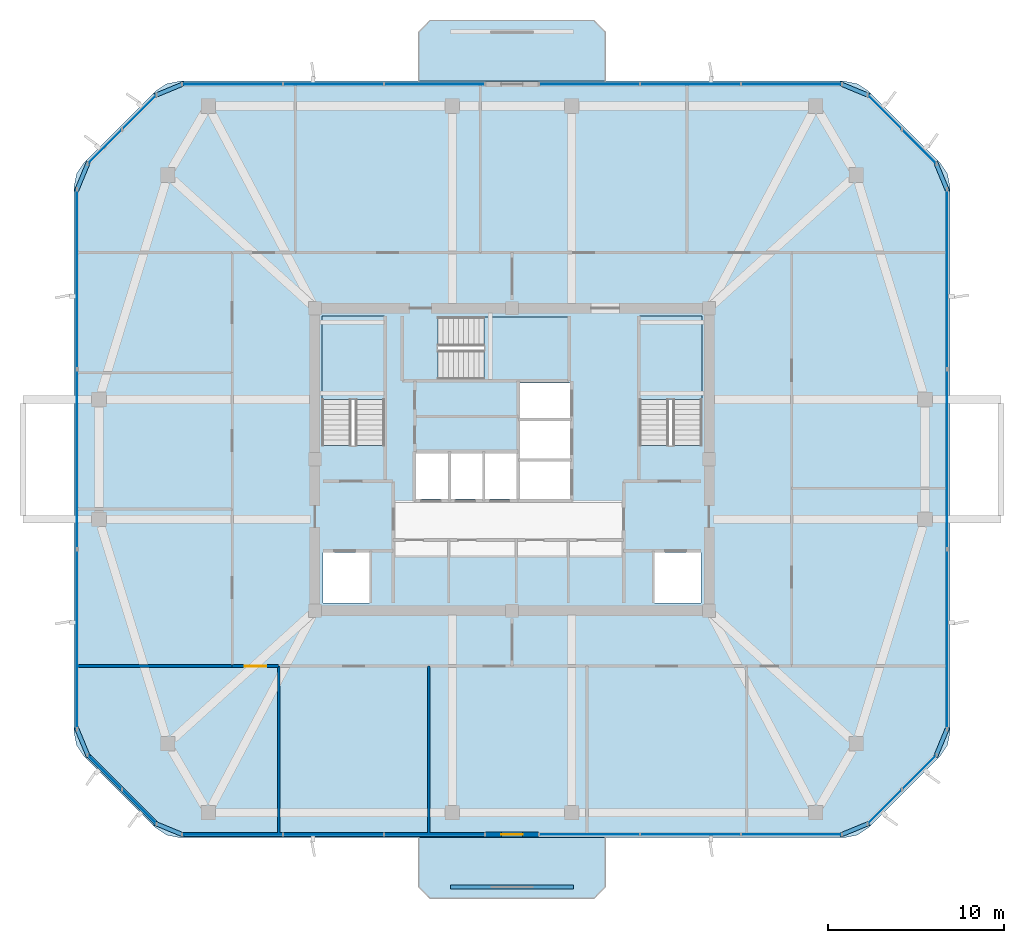
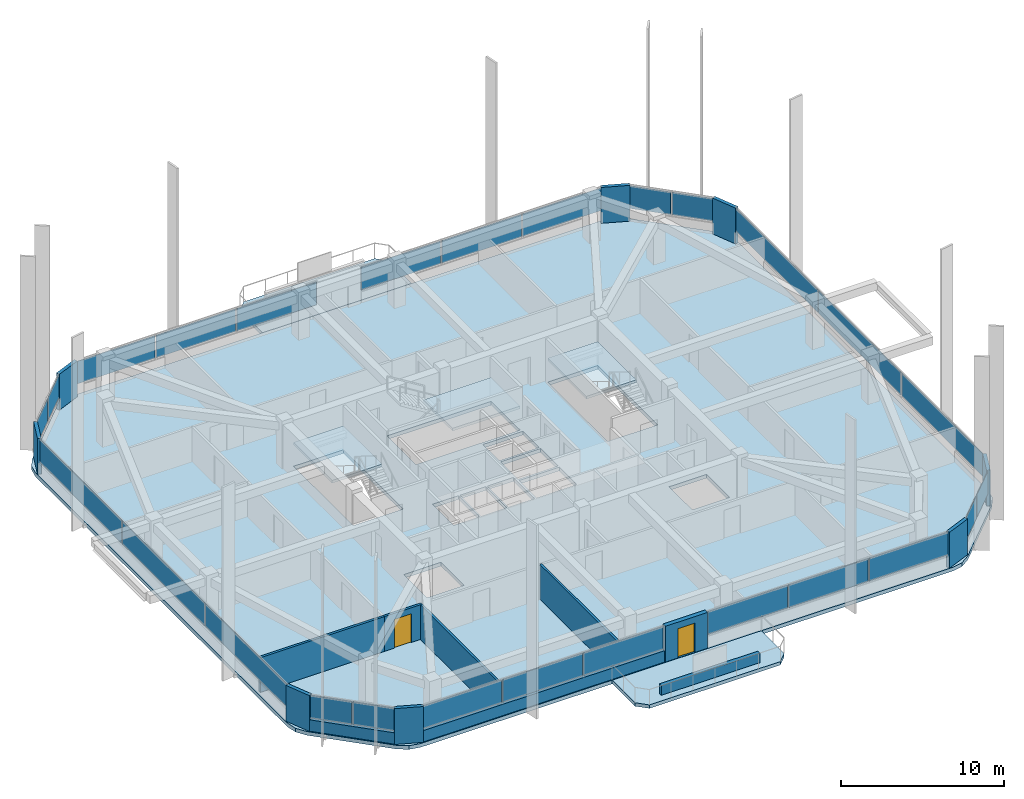
# One storey, part 6 of 12: 34 plates, 8 walls, 6 slabs, 2 doors, 2 openings, 13 elements without a shape of their own.
"""IFC4 building model written with IfcOpenShell, lengths in metres."""

from ifc_helpers import new_model, si_unit, derived_unit, direction, frame, frame_2d, origin, origin_2d, place, context, subcontext, project, spatial, polyline, rectangle, outline, extrude, material, layer, layer_set, type_object, element, fill, aggregate, save


model = new_model("IFC4")

# Units and contexts
model_context = context("Model", 3, precision=1e-05, world=origin(), true_north=direction((0.0, 1.0)))
body_context = subcontext(model_context, "Body", "Model", "MODEL_VIEW")
ifc_project = project(units=[si_unit("LENGTHUNIT", "METRE"), si_unit("AREAUNIT", "SQUARE_METRE"), si_unit("VOLUMEUNIT", "CUBIC_METRE"), si_unit("PLANEANGLEUNIT", "RADIAN"), si_unit("MASSUNIT", "GRAM", prefix="KILO"), derived_unit("THERMALTRANSMITTANCEUNIT", [(si_unit("POWERUNIT", "WATT"), 1), (si_unit("LENGTHUNIT", "METRE"), -2), (si_unit("THERMODYNAMICTEMPERATUREUNIT", "KELVIN"), -1)])], contexts=[model_context])

# Site, building, storey
site_placement = place(None, origin())
site = spatial("IfcSite", under=ifc_project, at=site_placement, CompositionType="ELEMENT")
building_placement = place(site_placement, origin())
building = spatial("IfcBuilding", under=site, at=building_placement, Name="Koralith Skygarden Medical Center", CompositionType="ELEMENT")
storey_placement = place(building_placement, frame((0.0, 0.0, 268.02001953125)))
storey = spatial("IfcBuildingStorey", under=building, at=storey_placement, Name="L69", CompositionType="ELEMENT", Elevation=268.02001953125)

# Curtain wall, plates
ifc_material_1 = material(Name="Clear Laminated Glass", Category="glass")
curtain_wall_type = type_object("IfcCurtainWallType", Name="CW-6 Zone 5 Upper Clinical Curtain Wall", PredefinedType="NOTDEFINED", material=ifc_material_1)
curtain_wall_1_placement = place(storey_placement, origin())
curtain_wall_1 = element("IfcCurtainWall", 1, at=curtain_wall_1_placement, inside=storey, type_object=curtain_wall_type, Name="Curtain Wall CW-L69-S-L", PredefinedType="NOTDEFINED")
ifc_layer_1 = layer(ifc_material_1, 0.0400390625)
ifc_layer_set_1 = layer_set([ifc_layer_1], Name="Clear Laminated Glass")
plate_type_1 = type_object("IfcPlateType", Name="CW-6 Hurricane Laminated IGU Panel 40", PredefinedType="CURTAIN_PANEL", material=ifc_layer_set_1)
plate_1_placement = place(storey_placement, frame((21.1220703125, 4.580078125, 0.919921875), z_axis=(0.0, 0.0, 1.0), x_axis=(1.0, 0.0, 0.0)))
plate_1 = element("IfcPlate", 2, at=plate_1_placement, type_object=plate_type_1, Name="CW-L69-S-L Glazed Panel 1", PredefinedType="CURTAIN_PANEL", context=body_context, shape_type="SweptSolid", body=[
    extrude(rectangle(XDim=5.64501953125, YDim=0.0400390625, at=origin_2d()), origin(), (0.0, 0.0, 1.0), 1.699951171875),
])
plate_2_placement = place(storey_placement, frame((26.85693359375, 4.580078125, 0.919921875), z_axis=(0.0, 0.0, 1.0), x_axis=(1.0, 0.0, 0.0)))
plate_2 = element("IfcPlate", 3, at=plate_2_placement, type_object=plate_type_1, Name="CW-L69-S-L Glazed Panel 2", PredefinedType="CURTAIN_PANEL", context=body_context, shape_type="SweptSolid", body=[
    extrude(rectangle(XDim=5.64501953125, YDim=0.0400390625, at=origin_2d()), origin(), (0.0, 0.0, 1.0), 1.699951171875),
])
plate_3_placement = place(storey_placement, frame((32.592041015625, 4.580078125, 0.919921875), z_axis=(0.0, 0.0, 1.0), x_axis=(1.0, 0.0, 0.0)))
plate_3 = element("IfcPlate", 4, at=plate_3_placement, type_object=plate_type_1, Name="CW-L69-S-L Glazed Panel 3", PredefinedType="CURTAIN_PANEL", context=body_context, shape_type="SweptSolid", body=[
    extrude(rectangle(XDim=5.64501953125, YDim=0.0400390625, at=origin_2d()), origin(), (0.0, 0.0, 1.0), 1.699951171875),
])
aggregate(curtain_wall_1, [plate_1, plate_2, plate_3])

curtain_wall_2_placement = place(storey_placement, origin())
curtain_wall_2 = element("IfcCurtainWall", 5, at=curtain_wall_2_placement, inside=storey, type_object=curtain_wall_type, Name="Curtain Wall CW-L69-S-R", PredefinedType="NOTDEFINED")
plate_4_placement = place(storey_placement, frame((41.406982421875, 4.580078125, 0.919921875), z_axis=(0.0, 0.0, 1.0), x_axis=(1.0, 0.0, 0.0)))
plate_4 = element("IfcPlate", 6, at=plate_4_placement, type_object=plate_type_1, Name="CW-L69-S-R Glazed Panel 1", PredefinedType="CURTAIN_PANEL", context=body_context, shape_type="SweptSolid", body=[
    extrude(rectangle(XDim=5.64501953125, YDim=0.0400390625, at=origin_2d()), origin(), (0.0, 0.0, 1.0), 1.699951171875),
])
plate_5_placement = place(storey_placement, frame((47.14208984375, 4.580078125, 0.919921875), z_axis=(0.0, 0.0, 1.0), x_axis=(1.0, 0.0, 0.0)))
plate_5 = element("IfcPlate", 7, at=plate_5_placement, type_object=plate_type_1, Name="CW-L69-S-R Glazed Panel 2", PredefinedType="CURTAIN_PANEL", context=body_context, shape_type="SweptSolid", body=[
    extrude(rectangle(XDim=5.64501953125, YDim=0.0400390625, at=origin_2d()), origin(), (0.0, 0.0, 1.0), 1.699951171875),
])
plate_6_placement = place(storey_placement, frame((52.876953125, 4.580078125, 0.919921875), z_axis=(0.0, 0.0, 1.0), x_axis=(1.0, 0.0, 0.0)))
plate_6 = element("IfcPlate", 8, at=plate_6_placement, type_object=plate_type_1, Name="CW-L69-S-R Glazed Panel 3", PredefinedType="CURTAIN_PANEL", context=body_context, shape_type="SweptSolid", body=[
    extrude(rectangle(XDim=5.64501953125, YDim=0.0400390625, at=origin_2d()), origin(), (0.0, 0.0, 1.0), 1.699951171875),
])
aggregate(curtain_wall_2, [plate_4, plate_5, plate_6])

curtain_wall_3_placement = place(storey_placement, origin())
curtain_wall_3 = element("IfcCurtainWall", 9, at=curtain_wall_3_placement, inside=storey, type_object=curtain_wall_type, Name="Curtain Wall CW-L69-SE", PredefinedType="NOTDEFINED")
plate_7_placement = place(storey_placement, frame((58.177001953125, 6.162109375, 0.919921875), z_axis=(0.0, 0.0, 1.0), x_axis=(0.707106781187, 0.707106781187, 0.0)))
plate_7 = element("IfcPlate", 10, at=plate_7_placement, type_object=plate_type_1, Name="CW-L69-SE Glazed Panel 1", PredefinedType="CURTAIN_PANEL", context=body_context, shape_type="SweptSolid", body=[
    extrude(rectangle(XDim=2.68408203125, YDim=0.0400390625, at=origin_2d()), origin(), (0.0, 0.0, 1.0), 1.699951171875),
])
plate_8_placement = place(storey_placement, frame((60.137939453125, 8.123046875, 0.919921875), z_axis=(0.0, 0.0, 1.0), x_axis=(0.707106781187, 0.707106781187, 0.0)))
plate_8 = element("IfcPlate", 11, at=plate_8_placement, type_object=plate_type_1, Name="CW-L69-SE Glazed Panel 2", PredefinedType="CURTAIN_PANEL", context=body_context, shape_type="SweptSolid", body=[
    extrude(rectangle(XDim=2.68408203125, YDim=0.0400390625, at=origin_2d()), origin(), (0.0, 0.0, 1.0), 1.699951171875),
])
aggregate(curtain_wall_3, [plate_7, plate_8])

curtain_wall_4_placement = place(storey_placement, origin())
curtain_wall_4 = element("IfcCurtainWall", 12, at=curtain_wall_4_placement, inside=storey, type_object=curtain_wall_type, Name="Curtain Wall CW-L69-E", PredefinedType="NOTDEFINED")
plate_9_placement = place(storey_placement, frame((61.719970703125, 15.669921875, 0.919921875), z_axis=(0.0, 0.0, 1.0), x_axis=(0.0, 1.0, 0.0)))
plate_9 = element("IfcPlate", 13, at=plate_9_placement, type_object=plate_type_1, Name="CW-L69-E Glazed Panel 1", PredefinedType="CURTAIN_PANEL", context=body_context, shape_type="SweptSolid", body=[
    extrude(rectangle(XDim=10.139892578125, YDim=0.0400390625, at=origin_2d()), origin(), (0.0, 0.0, 1.0), 1.699951171875),
])
plate_10_placement = place(storey_placement, frame((61.719970703125, 25.89990234375, 0.919921875), z_axis=(0.0, 0.0, 1.0), x_axis=(0.0, 1.0, 0.0)))
plate_10 = element("IfcPlate", 14, at=plate_10_placement, type_object=plate_type_1, Name="CW-L69-E Glazed Panel 2", PredefinedType="CURTAIN_PANEL", context=body_context, shape_type="SweptSolid", body=[
    extrude(rectangle(XDim=10.139892578125, YDim=0.0400390625, at=origin_2d()), origin(), (0.0, 0.0, 1.0), 1.699951171875),
])
plate_11_placement = place(storey_placement, frame((61.719970703125, 36.1298828125, 0.919921875), z_axis=(0.0, 0.0, 1.0), x_axis=(0.0, 1.0, 0.0)))
plate_11 = element("IfcPlate", 15, at=plate_11_placement, type_object=plate_type_1, Name="CW-L69-E Glazed Panel 3", PredefinedType="CURTAIN_PANEL", context=body_context, shape_type="SweptSolid", body=[
    extrude(rectangle(XDim=10.139892578125, YDim=0.0400390625, at=origin_2d()), origin(), (0.0, 0.0, 1.0), 1.699951171875),
])
aggregate(curtain_wall_4, [plate_9, plate_10, plate_11])

curtain_wall_5_placement = place(storey_placement, origin())
curtain_wall_5 = element("IfcCurtainWall", 16, at=curtain_wall_5_placement, inside=storey, type_object=curtain_wall_type, Name="Curtain Wall CW-L69-NE", PredefinedType="NOTDEFINED")
plate_12_placement = place(storey_placement, frame((60.137939453125, 43.677001953125, 0.919921875), z_axis=(0.0, 0.0, 1.0), x_axis=(-0.707106781187, 0.707106781187, 0.0)))
plate_12 = element("IfcPlate", 17, at=plate_12_placement, type_object=plate_type_1, Name="CW-L69-NE Glazed Panel 1", PredefinedType="CURTAIN_PANEL", context=body_context, shape_type="SweptSolid", body=[
    extrude(rectangle(XDim=2.68408203125, YDim=0.0400390625, at=origin_2d()), origin(), (0.0, 0.0, 1.0), 1.699951171875),
])
plate_13_placement = place(storey_placement, frame((58.177001953125, 45.637939453125, 0.919921875), z_axis=(0.0, 0.0, 1.0), x_axis=(-0.707106781187, 0.707106781187, 0.0)))
plate_13 = element("IfcPlate", 18, at=plate_13_placement, type_object=plate_type_1, Name="CW-L69-NE Glazed Panel 2", PredefinedType="CURTAIN_PANEL", context=body_context, shape_type="SweptSolid", body=[
    extrude(rectangle(XDim=2.68408203125, YDim=0.0400390625, at=origin_2d()), origin(), (0.0, 0.0, 1.0), 1.699951171875),
])
aggregate(curtain_wall_5, [plate_12, plate_13])

curtain_wall_6_placement = place(storey_placement, origin())
curtain_wall_6 = element("IfcCurtainWall", 19, at=curtain_wall_6_placement, inside=storey, type_object=curtain_wall_type, Name="Curtain Wall CW-L69-N-L", PredefinedType="NOTDEFINED")
plate_14_placement = place(storey_placement, frame((52.8779296875, 47.219970703125, 0.919921875), z_axis=(0.0, 0.0, 1.0), x_axis=(-1.0, 0.0, 0.0)))
plate_14 = element("IfcPlate", 20, at=plate_14_placement, type_object=plate_type_1, Name="CW-L69-N-L Glazed Panel 1", PredefinedType="CURTAIN_PANEL", context=body_context, shape_type="SweptSolid", body=[
    extrude(rectangle(XDim=5.64501953125, YDim=0.0400390625, at=origin_2d()), origin(), (0.0, 0.0, 1.0), 1.699951171875),
])
plate_15_placement = place(storey_placement, frame((47.14306640625, 47.219970703125, 0.919921875), z_axis=(0.0, 0.0, 1.0), x_axis=(-1.0, 0.0, 0.0)))
plate_15 = element("IfcPlate", 21, at=plate_15_placement, type_object=plate_type_1, Name="CW-L69-N-L Glazed Panel 2", PredefinedType="CURTAIN_PANEL", context=body_context, shape_type="SweptSolid", body=[
    extrude(rectangle(XDim=5.64501953125, YDim=0.0400390625, at=origin_2d()), origin(), (0.0, 0.0, 1.0), 1.699951171875),
])
plate_16_placement = place(storey_placement, frame((41.407958984375, 47.219970703125, 0.919921875), z_axis=(0.0, 0.0, 1.0), x_axis=(-1.0, 0.0, 0.0)))
plate_16 = element("IfcPlate", 22, at=plate_16_placement, type_object=plate_type_1, Name="CW-L69-N-L Glazed Panel 3", PredefinedType="CURTAIN_PANEL", context=body_context, shape_type="SweptSolid", body=[
    extrude(rectangle(XDim=5.64501953125, YDim=0.0400390625, at=origin_2d()), origin(), (0.0, 0.0, 1.0), 1.699951171875),
])
aggregate(curtain_wall_6, [plate_14, plate_15, plate_16])

curtain_wall_7_placement = place(storey_placement, origin())
curtain_wall_7 = element("IfcCurtainWall", 23, at=curtain_wall_7_placement, inside=storey, type_object=curtain_wall_type, Name="Curtain Wall CW-L69-N-R", PredefinedType="NOTDEFINED")
plate_17_placement = place(storey_placement, frame((32.593017578125, 47.219970703125, 0.919921875), z_axis=(0.0, 0.0, 1.0), x_axis=(-1.0, 0.0, 0.0)))
plate_17 = element("IfcPlate", 24, at=plate_17_placement, type_object=plate_type_1, Name="CW-L69-N-R Glazed Panel 1", PredefinedType="CURTAIN_PANEL", context=body_context, shape_type="SweptSolid", body=[
    extrude(rectangle(XDim=5.64501953125, YDim=0.0400390625, at=origin_2d()), origin(), (0.0, 0.0, 1.0), 1.699951171875),
])
plate_18_placement = place(storey_placement, frame((26.85791015625, 47.219970703125, 0.919921875), z_axis=(0.0, 0.0, 1.0), x_axis=(-1.0, 0.0, 0.0)))
plate_18 = element("IfcPlate", 25, at=plate_18_placement, type_object=plate_type_1, Name="CW-L69-N-R Glazed Panel 2", PredefinedType="CURTAIN_PANEL", context=body_context, shape_type="SweptSolid", body=[
    extrude(rectangle(XDim=5.64501953125, YDim=0.0400390625, at=origin_2d()), origin(), (0.0, 0.0, 1.0), 1.699951171875),
])
plate_19_placement = place(storey_placement, frame((21.123046875, 47.219970703125, 0.919921875), z_axis=(0.0, 0.0, 1.0), x_axis=(-1.0, 0.0, 0.0)))
plate_19 = element("IfcPlate", 26, at=plate_19_placement, type_object=plate_type_1, Name="CW-L69-N-R Glazed Panel 3", PredefinedType="CURTAIN_PANEL", context=body_context, shape_type="SweptSolid", body=[
    extrude(rectangle(XDim=5.64501953125, YDim=0.0400390625, at=origin_2d()), origin(), (0.0, 0.0, 1.0), 1.699951171875),
])
aggregate(curtain_wall_7, [plate_17, plate_18, plate_19])

curtain_wall_8_placement = place(storey_placement, origin())
curtain_wall_8 = element("IfcCurtainWall", 27, at=curtain_wall_8_placement, inside=storey, type_object=curtain_wall_type, Name="Curtain Wall CW-L69-NW", PredefinedType="NOTDEFINED")
plate_20_placement = place(storey_placement, frame((15.822998046875, 45.637939453125, 0.919921875), z_axis=(0.0, 0.0, 1.0), x_axis=(-0.707106781187, -0.707106781187, 0.0)))
plate_20 = element("IfcPlate", 28, at=plate_20_placement, type_object=plate_type_1, Name="CW-L69-NW Glazed Panel 1", PredefinedType="CURTAIN_PANEL", context=body_context, shape_type="SweptSolid", body=[
    extrude(rectangle(XDim=2.68408203125, YDim=0.0400390625, at=origin_2d()), origin(), (0.0, 0.0, 1.0), 1.699951171875),
])
plate_21_placement = place(storey_placement, frame((13.862060546875, 43.677001953125, 0.919921875), z_axis=(0.0, 0.0, 1.0), x_axis=(-0.707106781187, -0.707106781187, 0.0)))
plate_21 = element("IfcPlate", 29, at=plate_21_placement, type_object=plate_type_1, Name="CW-L69-NW Glazed Panel 2", PredefinedType="CURTAIN_PANEL", context=body_context, shape_type="SweptSolid", body=[
    extrude(rectangle(XDim=2.68408203125, YDim=0.0400390625, at=origin_2d()), origin(), (0.0, 0.0, 1.0), 1.699951171875),
])
aggregate(curtain_wall_8, [plate_20, plate_21])

curtain_wall_9_placement = place(storey_placement, origin())
curtain_wall_9 = element("IfcCurtainWall", 30, at=curtain_wall_9_placement, inside=storey, type_object=curtain_wall_type, Name="Curtain Wall CW-L69-W", PredefinedType="NOTDEFINED")
plate_22_placement = place(storey_placement, frame((12.280029296875, 36.1298828125, 0.919921875), z_axis=(0.0, 0.0, 1.0), x_axis=(0.0, -1.0, 0.0)))
plate_22 = element("IfcPlate", 31, at=plate_22_placement, type_object=plate_type_1, Name="CW-L69-W Glazed Panel 1", PredefinedType="CURTAIN_PANEL", context=body_context, shape_type="SweptSolid", body=[
    extrude(rectangle(XDim=10.139892578125, YDim=0.0400390625, at=origin_2d()), origin(), (0.0, 0.0, 1.0), 1.699951171875),
])
plate_23_placement = place(storey_placement, frame((12.280029296875, 25.89990234375, 0.919921875), z_axis=(0.0, 0.0, 1.0), x_axis=(0.0, -1.0, 0.0)))
plate_23 = element("IfcPlate", 32, at=plate_23_placement, type_object=plate_type_1, Name="CW-L69-W Glazed Panel 2", PredefinedType="CURTAIN_PANEL", context=body_context, shape_type="SweptSolid", body=[
    extrude(rectangle(XDim=10.139892578125, YDim=0.0400390625, at=origin_2d()), origin(), (0.0, 0.0, 1.0), 1.699951171875),
])
plate_24_placement = place(storey_placement, frame((12.280029296875, 15.669921875, 0.919921875), z_axis=(0.0, 0.0, 1.0), x_axis=(0.0, -1.0, 0.0)))
plate_24 = element("IfcPlate", 33, at=plate_24_placement, type_object=plate_type_1, Name="CW-L69-W Glazed Panel 3", PredefinedType="CURTAIN_PANEL", context=body_context, shape_type="SweptSolid", body=[
    extrude(rectangle(XDim=10.139892578125, YDim=0.0400390625, at=origin_2d()), origin(), (0.0, 0.0, 1.0), 1.699951171875),
])
aggregate(curtain_wall_9, [plate_22, plate_23, plate_24])

curtain_wall_10_placement = place(storey_placement, origin())
curtain_wall_10 = element("IfcCurtainWall", 34, at=curtain_wall_10_placement, inside=storey, type_object=curtain_wall_type, Name="Curtain Wall CW-L69-SW", PredefinedType="NOTDEFINED")
plate_25_placement = place(storey_placement, frame((13.862060546875, 8.123046875, 0.919921875), z_axis=(0.0, 0.0, 1.0), x_axis=(0.707106781187, -0.707106781187, 0.0)))
plate_25 = element("IfcPlate", 35, at=plate_25_placement, type_object=plate_type_1, Name="CW-L69-SW Glazed Panel 1", PredefinedType="CURTAIN_PANEL", context=body_context, shape_type="SweptSolid", body=[
    extrude(rectangle(XDim=2.68408203125, YDim=0.0400390625, at=origin_2d()), origin(), (0.0, 0.0, 1.0), 1.699951171875),
])
plate_26_placement = place(storey_placement, frame((15.822998046875, 6.162109375, 0.919921875), z_axis=(0.0, 0.0, 1.0), x_axis=(0.707106781187, -0.707106781187, 0.0)))
plate_26 = element("IfcPlate", 36, at=plate_26_placement, type_object=plate_type_1, Name="CW-L69-SW Glazed Panel 2", PredefinedType="CURTAIN_PANEL", context=body_context, shape_type="SweptSolid", body=[
    extrude(rectangle(XDim=2.68408203125, YDim=0.0400390625, at=origin_2d()), origin(), (0.0, 0.0, 1.0), 1.699951171875),
])
aggregate(curtain_wall_10, [plate_25, plate_26])

# Slabs
ifc_material_2 = material(Name="Concrete C45/55", Category="concrete")
ifc_layer_2 = layer(ifc_material_2, 0.260009765625)
ifc_layer_set_2 = layer_set([ifc_layer_2], Name="Concrete C45/55")
slab_type_1 = type_object("IfcSlabType", Name="Cantilevered Planted Balcony Slab 260", PredefinedType="FLOOR", material=ifc_layer_set_2)
slab_1_placement = place(storey_placement, frame((0.0, 0.0, -0.260009765625)))
element("IfcSlab", 37, at=slab_1_placement, inside=storey, type_object=slab_type_1, Name="L69 N Planted Sky-Garden Balcony Slab", PredefinedType="FLOOR", context=body_context, shape_type="SweptSolid", body=[
    extrude(outline(polyline([(31.699951171875, 47.39990234375), (42.300048828125, 47.39990234375), (42.300048828125, 50.199951171875), (41.64990234375, 50.85009765625), (32.35009765625, 50.85009765625), (31.699951171875, 50.199951171875), (31.699951171875, 47.39990234375)])), origin(), (0.0, 0.0, 1.0), 0.260009765625),
])
slab_2_placement = place(storey_placement, frame((0.0, 0.0, -0.260009765625)))
element("IfcSlab", 38, at=slab_2_placement, inside=storey, type_object=slab_type_1, Name="L69 S Planted Sky-Garden Balcony Slab", PredefinedType="FLOOR", context=body_context, shape_type="SweptSolid", body=[
    extrude(outline(polyline([(32.35009765625, 0.949951171875), (41.64990234375, 0.949951171875), (42.300048828125, 1.60009765625), (42.300048828125, 4.39990234375), (31.699951171875, 4.39990234375), (31.699951171875, 1.60009765625), (32.35009765625, 0.949951171875)])), origin(), (0.0, 0.0, 1.0), 0.260009765625),
])

# Stair, slab
stair_type = type_object("IfcStairType", Name="Core Exit Dogleg Concrete Stair", PredefinedType="HALF_TURN_STAIR", material=ifc_material_2)
stair_1_placement = place(storey_placement, origin())
stair_1 = element("IfcStair", 39, at=stair_1_placement, inside=storey, type_object=stair_type, Name="L69 Smokeproof Exit Stair ST1", PredefinedType="HALF_TURN_STAIR")
ifc_layer_3 = layer(ifc_material_2, 0.199951171875)
ifc_layer_set_3 = layer_set([ifc_layer_3], Name="Concrete C45/55")
slab_type_2 = type_object("IfcSlabType", Name="Core Exit Concrete Stair Landing 200", PredefinedType="LANDING", material=ifc_layer_set_3)
slab_3_placement = place(storey_placement, frame((0.0, 0.0, 1.60009765625)))
slab_3 = element("IfcSlab", 40, at=slab_3_placement, type_object=slab_type_2, Name="ST1 landing 1", PredefinedType="LANDING", context=body_context, shape_type="SweptSolid", body=[
    extrude(outline(polyline([(29.75, 29.31005859375), (29.75, 34.050048828125), (26.199951171875, 34.050048828125), (26.199951171875, 29.31005859375), (29.75, 29.31005859375)])), origin(), (0.0, 0.0, 1.0), 0.199951171875),
])
aggregate(stair_1, [slab_3])

stair_2_placement = place(storey_placement, origin())
stair_2 = element("IfcStair", 41, at=stair_2_placement, inside=storey, type_object=stair_type, Name="L69 Smokeproof Exit Stair ST2", PredefinedType="HALF_TURN_STAIR")
slab_4_placement = place(storey_placement, frame((0.0, 0.0, 1.60009765625)))
slab_4 = element("IfcSlab", 42, at=slab_4_placement, type_object=slab_type_2, Name="ST2 landing 1", PredefinedType="LANDING", context=body_context, shape_type="SweptSolid", body=[
    extrude(outline(polyline([(47.800048828125, 29.31005859375), (47.800048828125, 34.050048828125), (44.25, 34.050048828125), (44.25, 29.31005859375), (47.800048828125, 29.31005859375)])), origin(), (0.0, 0.0, 1.0), 0.199951171875),
])
aggregate(stair_2, [slab_4])

stair_3_placement = place(storey_placement, origin())
stair_3 = element("IfcStair", 43, at=stair_3_placement, inside=storey, type_object=stair_type, Name="L69 Smokeproof Exit Stair ST3", PredefinedType="HALF_TURN_STAIR")
slab_5_placement = place(storey_placement, frame((0.0, 0.0, 1.60009765625)))
slab_5 = element("IfcSlab", 44, at=slab_5_placement, type_object=slab_type_2, Name="ST3 landing 1", PredefinedType="LANDING", context=body_context, shape_type="SweptSolid", body=[
    extrude(outline(polyline([(35.409912109375, 30.449951171875), (40.199951171875, 30.449951171875), (40.199951171875, 34.0), (35.409912109375, 34.0), (35.409912109375, 30.449951171875)])), origin(), (0.0, 0.0, 1.0), 0.199951171875),
])
aggregate(stair_3, [slab_5])

# Slab
ifc_layer_4 = layer(ifc_material_2, 0.280029296875)
ifc_layer_set_4 = layer_set([ifc_layer_4], Name="Concrete C45/55")
slab_type_3 = type_object("IfcSlabType", Name="Post-Tensioned Ward Floor Plate 280", PredefinedType="FLOOR", material=ifc_layer_set_4)
slab_6_placement = place(storey_placement, frame((0.0, 0.0, -0.280029296875)))
element("IfcSlab", 45, at=slab_6_placement, inside=storey, type_object=slab_type_3, Name="Level L69 Structural Floor Slab", PredefinedType="FLOOR", context=body_context, shape_type="SweptSolid", body=[
    extrude(outline(polyline([(16.714111328125, 4.986083984375), (17.363037109375, 4.552001953125), (18.1279296875, 4.39990234375), (55.8720703125, 4.39990234375), (56.636962890625, 4.552001953125), (57.285888671875, 4.986083984375), (61.31396484375, 9.013916015625), (61.748046875, 9.6630859375), (61.89990234375, 10.427978515625), (61.89990234375, 41.3720703125), (61.748046875, 42.136962890625), (61.31396484375, 42.785888671875), (57.285888671875, 46.81396484375), (56.636962890625, 47.248046875), (55.8720703125, 47.39990234375), (18.1279296875, 47.39990234375), (17.363037109375, 47.248046875), (16.714111328125, 46.81396484375), (12.68603515625, 42.785888671875), (12.251953125, 42.136962890625), (12.10009765625, 41.3720703125), (12.10009765625, 10.427978515625), (12.251953125, 9.6630859375), (12.68603515625, 9.013916015625), (16.714111328125, 4.986083984375)]), holes=[polyline([(26.199951171875, 26.705078125), (29.75, 26.705078125), (29.75, 34.050048828125), (26.199951171875, 34.050048828125), (26.199951171875, 26.705078125)]), polyline([(44.25, 26.705078125), (47.800048828125, 26.705078125), (47.800048828125, 34.050048828125), (44.25, 34.050048828125), (44.25, 26.705078125)]), polyline([(32.804931640625, 30.449951171875), (40.199951171875, 30.449951171875), (40.199951171875, 34.0), (32.804931640625, 34.0), (32.804931640625, 30.449951171875)]), polyline([(26.25, 17.75), (28.89990234375, 17.75), (28.89990234375, 20.60009765625), (26.25, 20.60009765625), (26.25, 17.75)]), polyline([(45.10009765625, 17.75), (47.75, 17.75), (47.75, 20.60009765625), (45.10009765625, 20.60009765625), (45.10009765625, 17.75)]), polyline([(31.550048828125, 23.64990234375), (33.39990234375, 23.64990234375), (33.39990234375, 26.25), (31.550048828125, 26.25), (31.550048828125, 23.64990234375)]), polyline([(33.5, 23.64990234375), (35.35009765625, 23.64990234375), (35.35009765625, 26.25), (33.5, 26.25), (33.5, 23.64990234375)]), polyline([(35.449951171875, 23.64990234375), (37.300048828125, 23.64990234375), (37.300048828125, 26.25), (35.449951171875, 26.25), (35.449951171875, 23.64990234375)]), polyline([(37.449951171875, 23.64990234375), (40.300048828125, 23.64990234375), (40.300048828125, 25.800048828125), (37.449951171875, 25.800048828125), (37.449951171875, 23.64990234375)]), polyline([(37.449951171875, 25.949951171875), (40.300048828125, 25.949951171875), (40.300048828125, 28.10009765625), (37.449951171875, 28.10009765625), (37.449951171875, 25.949951171875)]), polyline([(37.449951171875, 28.25), (40.300048828125, 28.25), (40.300048828125, 30.25), (37.449951171875, 30.25), (37.449951171875, 28.25)])]), origin(), (0.0, 0.0, 1.0), 0.280029296875),
])

# Plates
ifc_material_3 = material(Name="Warm Oolitic Limestone Cladding", Category="masonry")
ifc_layer_5 = layer(ifc_material_3, 0.239990234375)
ifc_layer_set_5 = layer_set([ifc_layer_5], Name="Warm Oolitic Limestone Cladding")
plate_type_2 = type_object("IfcPlateType", Name="Rounded-Corner Oolitic Limestone Cladding Panel 240", PredefinedType="USERDEFINED", material=ifc_layer_set_5)
for number, where, z_axis, x_axis, name in (
    (46, (56.470947265625, 4.8798828125, 0.0), (0.0, 0.0, 1.0), (0.92388487569, 0.382670532536, 0.0), "L69 Rounded-Corner Limestone Pier 1"),
    (47, (61.4189453125, 9.8291015625, 0.0), (0.0, 0.0, 1.0), (0.382670532536, 0.92388487569, 0.0), "L69 Rounded-Corner Limestone Pier 2"),
    (48, (61.4189453125, 41.970947265625, 0.0), (0.0, 0.0, 1.0), (-0.382670532536, 0.92388487569, 0.0), "L69 Rounded-Corner Limestone Pier 3"),
    (49, (56.470947265625, 46.9189453125, 0.0), (0.0, 0.0, 1.0), (-0.92388487569, 0.382670532536, 0.0), "L69 Rounded-Corner Limestone Pier 4"),
    (50, (17.529052734375, 46.9189453125, 0.0), (0.0, 0.0, 1.0), (-0.92388487569, -0.382670532536, 0.0), "L69 Rounded-Corner Limestone Pier 5"),
    (51, (12.5810546875, 41.970947265625, 0.0), (0.0, 0.0, 1.0), (-0.382670532536, -0.92388487569, 0.0), "L69 Rounded-Corner Limestone Pier 6"),
    (52, (12.5810546875, 9.8291015625, 0.0), (0.0, 0.0, 1.0), (0.382670532536, -0.92388487569, 0.0), "L69 Rounded-Corner Limestone Pier 7"),
    (53, (17.529052734375, 4.8798828125, 0.0), (0.0, 0.0, 1.0), (0.92388487569, -0.382670532536, 0.0), "L69 Rounded-Corner Limestone Pier 8"),
):
    element("IfcPlate", number, at=place(storey_placement, frame(where, z_axis=z_axis, x_axis=x_axis)), inside=storey, type_object=plate_type_2, Name=name, ObjectType="LIMESTONE CLADDING", PredefinedType="USERDEFINED", context=body_context, shape_type="SweptSolid", body=[
        extrude(rectangle(XDim=1.81103515625, YDim=0.239990234375, at=origin_2d()), origin(), (0.0, 0.0, 1.0), 2.68994140625),
    ])

# Walls
ifc_material_4 = material(Name="Gypsum Board Partition")
ifc_layer_6 = layer(ifc_material_4, 0.14990234375)
ifc_layer_set_6 = layer_set([ifc_layer_6], Name="Gypsum Board Partition")
wall_type_1 = type_object("IfcWallType", Name="Clinical Acoustic Partition 150", PredefinedType="PARTITIONING", material=ifc_layer_set_6)
for number, where, z_axis, x_axis, name in (
    (54, (23.739013671875, 14.14990234375, 0.0), (0.0, 0.0, 1.0), (0.0, -1.0, 0.0), "L69 Clinical Acoustic Partition 150 W-PART-L69-S-01"),
    (55, (32.263916015625, 14.14990234375, 0.0), (0.0, 0.0, 1.0), (0.0, -1.0, 0.0), "L69 Clinical Acoustic Partition 150 W-PART-L69-S-02"),
):
    element("IfcWall", number, at=place(storey_placement, frame(where, z_axis=z_axis, x_axis=x_axis)), inside=storey, type_object=wall_type_1, Name=name, PredefinedType="PARTITIONING", context=body_context, shape_type="SweptSolid", body=[
        extrude(rectangle(XDim=9.5498046875, YDim=0.14990234375, at=frame_2d((4.77490234375, 0.0))), origin(), (0.0, 0.0, 1.0), 2.60986328125),
    ])
ifc_layer_7 = layer(ifc_material_4, 0.1650390625)
ifc_layer_set_7 = layer_set([ifc_layer_7], Name="Gypsum Board Partition")
wall_type_2 = type_object("IfcWallType", Name="Clinical Corridor Partition 165", PredefinedType="PARTITIONING", material=ifc_layer_set_7)
wall_1_placement = place(storey_placement, frame((12.300048828125, 14.14990234375, 0.0), z_axis=(0.0, 0.0, 1.0), x_axis=(1.0, 0.0, 0.0)))
element("IfcWall", 56, at=wall_1_placement, inside=storey, type_object=wall_type_2, Name="L69 Clinical Corridor Partition 165 W-WB-L69-SW", PredefinedType="PARTITIONING", context=body_context, shape_type="SweptSolid", body=[
    extrude(rectangle(XDim=8.800048828125, YDim=0.1650390625, at=frame_2d((4.39990234375, 0.0))), origin(), (0.0, 0.0, 1.0), 2.60986328125),
])

# Wall, opening, door
wall_2_placement = place(storey_placement, frame((21.10009765625, 14.14990234375, 0.0), z_axis=(0.0, 0.0, 1.0), x_axis=(1.0, 0.0, 0.0)))
wall_2 = element("IfcWall", 57, at=wall_2_placement, inside=storey, type_object=wall_type_2, Name="L69 Clinical Corridor Partition 165 W-CORR-L69-S-01", PredefinedType="PARTITIONING", context=body_context, shape_type="SweptSolid", body=[
    extrude(rectangle(XDim=2.638916015625, YDim=0.1650390625, at=frame_2d((1.3193359375, 0.0))), origin(), (0.0, 0.0, 1.0), 2.60986328125),
])
opening_1_placement = place(wall_2_placement, frame((0.718994140625, 0.0, 0.0)))
opening_1 = element("IfcOpeningElement", 58, at=opening_1_placement, cuts=wall_2, Name="Opening D-CLN", PredefinedType="OPENING", context=body_context, shape_type="SweptSolid", body=[
    extrude(rectangle(XDim=1.199951171875, YDim=2.14990234375, at=frame_2d((0.60009765625, 1.074951171875))), frame((0.0, 0.092529296875, 0.0), z_axis=(0.0, -1.0, 0.0), x_axis=(1.0, 0.0, 0.0)), (0.0, 0.0, 1.0), 0.18505859375),
])
ifc_material_5 = material(Name="Aluminium 6063-T6", Category="aluminium")
door_type_1 = type_object("IfcDoorType", Name="Clinical Corridor Door D-CLN 1200", OperationType="NOTDEFINED", PredefinedType="DOOR", material=ifc_material_5)
door_1_placement = place(opening_1_placement, frame((1.199951171875, 0.0, 0.0), z_axis=(0.0, 0.0, 1.0), x_axis=(-1.0, 0.0, 0.0)))
door_1 = element("IfcDoor", 59, at=door_1_placement, inside=storey, type_object=door_type_1, Name="L69 Oxygen Cylinder Alcove Store 05 Door", OperationType="SINGLE_SWING_RIGHT", OverallHeight=2.14990234375, OverallWidth=1.199951171875, PredefinedType="DOOR", context=body_context, shape_type="SweptSolid", body=[
    extrude(rectangle(XDim=1.199951171875, YDim=2.14990234375, at=frame_2d((0.60009765625, 1.074951171875))), frame((0.0, 0.02490234375, 0.0), z_axis=(0.0, -1.0, 0.0), x_axis=(1.0, 0.0, 0.0)), (0.0, 0.0, 1.0), 0.050048828125),
])
fill(opening_1, door_1)

# Walls
ifc_layer_8 = layer(ifc_material_3, 0.239990234375)
ifc_layer_set_8 = layer_set([ifc_layer_8], Name="Warm Oolitic Limestone Cladding")
wall_type_3 = type_object("IfcWallType", Name="Limestone Spandrel Sill Backup Wall 240", PredefinedType="SOLIDWALL", material=ifc_layer_set_8)
wall_3_placement = place(storey_placement, frame((18.2548828125, 4.580078125, 0.0), z_axis=(0.0, 0.0, 1.0), x_axis=(1.0, 0.0, 0.0)))
element("IfcWall", 60, at=wall_3_placement, inside=storey, type_object=wall_type_3, Name="L69 Sill Spandrel S-L", PredefinedType="SOLIDWALL", context=body_context, shape_type="SweptSolid", body=[
    extrude(rectangle(XDim=17.2041015625, YDim=0.239990234375, at=frame_2d((8.60205078125, 0.0))), origin(), (0.0, 0.0, 1.0), 0.85009765625),
])
wall_4_placement = place(storey_placement, frame((12.881103515625, 9.10400390625, 0.0), z_axis=(0.0, 0.0, 1.0), x_axis=(0.707084777957, -0.707128783731, 0.0)))
element("IfcWall", 61, at=wall_4_placement, inside=storey, type_object=wall_type_3, Name="L69 Sill Spandrel SW", PredefinedType="SOLIDWALL", context=body_context, shape_type="SweptSolid", body=[
    extrude(rectangle(XDim=5.5478515625, YDim=0.239990234375, at=frame_2d((2.77392578125, 0.0))), origin(), (0.0, 0.0, 1.0), 0.85009765625),
])

# Wall, opening, door
ifc_layer_9 = layer(ifc_material_3, 0.300048828125)
ifc_layer_set_9 = layer_set([ifc_layer_9], Name="Warm Oolitic Limestone Cladding")
wall_type_4 = type_object("IfcWallType", Name="Oolitic Limestone Insulated Facade Wall 300", PredefinedType="SOLIDWALL", material=ifc_layer_set_9)
wall_5_placement = place(storey_placement, frame((35.4990234375, 4.580078125, 0.0), z_axis=(0.0, 0.0, 1.0), x_axis=(1.0, 0.0, 0.0)))
wall_5 = element("IfcWall", 62, at=wall_5_placement, inside=storey, type_object=wall_type_4, Name="L69 Terrace Portal Wall S", PredefinedType="SOLIDWALL", context=body_context, shape_type="SweptSolid", body=[
    extrude(rectangle(XDim=3.0, YDim=0.300048828125, at=frame_2d((1.5, 0.0))), origin(), (0.0, 0.0, 1.0), 2.68994140625),
])
opening_2_placement = place(wall_5_placement, frame((0.89990234375, 0.0, 0.0)))
opening_2 = element("IfcOpeningElement", 63, at=opening_2_placement, cuts=wall_5, Name="Opening D-BAL", PredefinedType="OPENING", context=body_context, shape_type="SweptSolid", body=[
    extrude(rectangle(XDim=1.199951171875, YDim=2.199951171875, at=frame_2d((0.60009765625, 1.10009765625))), frame((0.0, 0.159912109375, 0.0), z_axis=(0.0, -1.0, 0.0), x_axis=(1.0, 0.0, 0.0)), (0.0, 0.0, 1.0), 0.320068359375),
])
door_type_2 = type_object("IfcDoorType", Name="Planted Balcony Glazed Terrace Door D-BAL 1200", OperationType="NOTDEFINED", PredefinedType="DOOR", material=ifc_material_5)
door_2_placement = place(opening_2_placement, origin())
door_2 = element("IfcDoor", 64, at=door_2_placement, inside=storey, type_object=door_type_2, Name="L69 S Outdoor Terrace Access Door", OperationType="SINGLE_SWING_RIGHT", OverallHeight=2.199951171875, OverallWidth=1.199951171875, PredefinedType="DOOR", context=body_context, shape_type="SweptSolid", body=[
    extrude(rectangle(XDim=1.199951171875, YDim=2.199951171875, at=frame_2d((0.60009765625, 1.10009765625))), frame((0.0, 0.02490234375, 0.0), z_axis=(0.0, -1.0, 0.0), x_axis=(1.0, 0.0, 0.0)), (0.0, 0.0, 1.0), 0.050048828125),
])
fill(opening_2, door_2)

# Wall
ifc_material_6 = material(Name="Precast concrete C40/50", Category="concrete")
ifc_layer_10 = layer(ifc_material_6, 0.25)
ifc_layer_set_10 = layer_set([ifc_layer_10], Name="Precast concrete C40/50")
wall_type_5 = type_object("IfcWallType", Name="Structural Concrete Balcony Planter Kerb 250", PredefinedType="PARAPET", material=ifc_layer_set_10)
wall_6_placement = place(storey_placement, frame((33.5, 1.60009765625, 0.0), z_axis=(0.0, 0.0, 1.0), x_axis=(1.0, 0.0, 0.0)))
element("IfcWall", 65, at=wall_6_placement, inside=storey, type_object=wall_type_5, Name="L69 S Structural Tree PLANTER Box", PredefinedType="PARAPET", context=body_context, shape_type="SweptSolid", body=[
    extrude(rectangle(XDim=7.0, YDim=0.25, at=frame_2d((3.5, 0.0))), origin(), (0.0, 0.0, 1.0), 0.719970703125),
])

save(model, "model.ifc")
